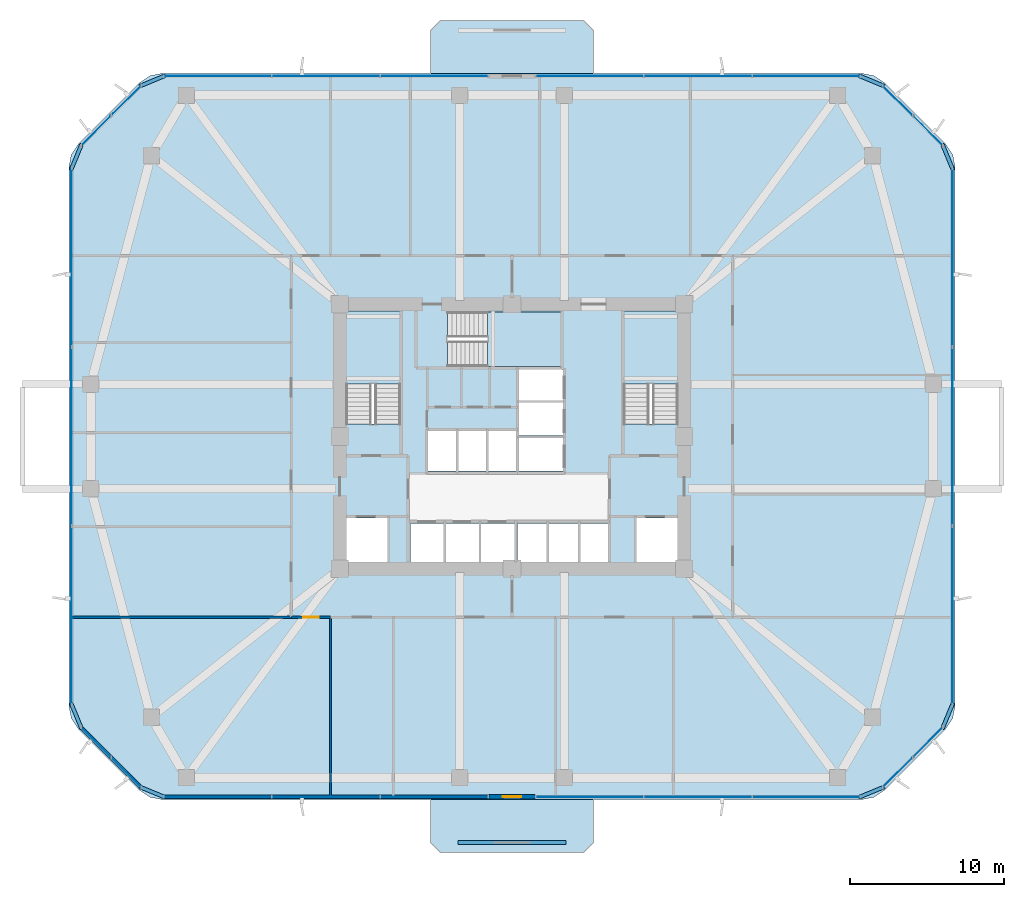
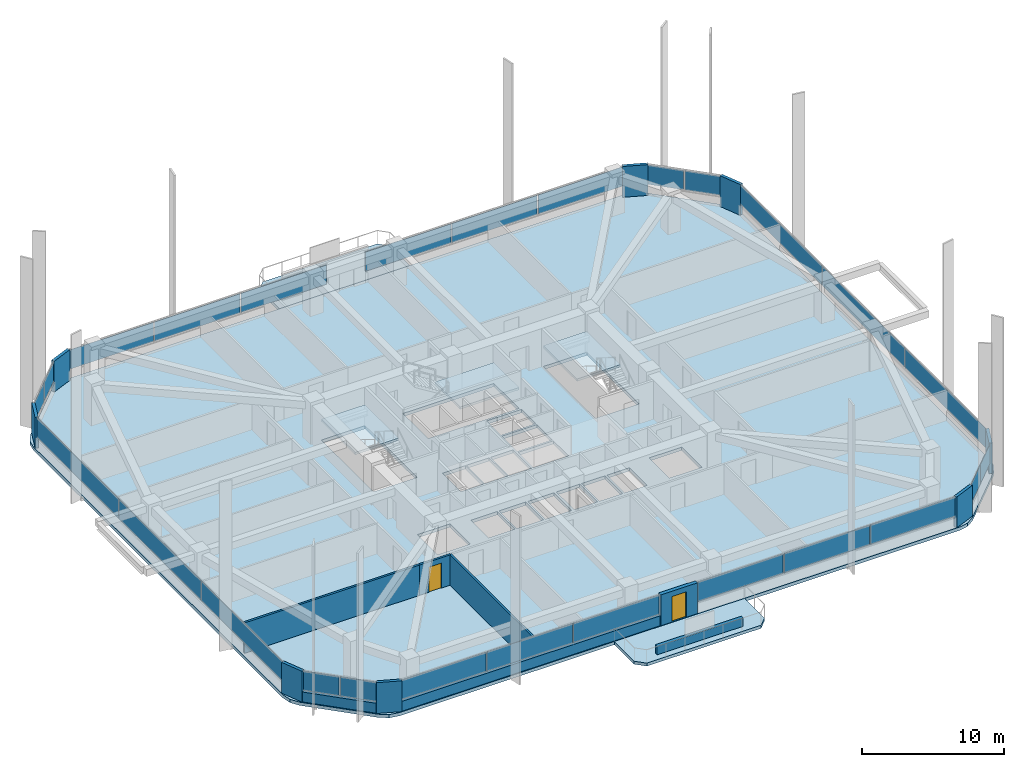
# One storey, part 8 of 17: 34 plates, 7 walls, 6 slabs, 2 doors, 2 openings, 13 elements without a shape of their own.
"""IFC4 building model written with IfcOpenShell, lengths in metres."""

from ifc_helpers import new_model, si_unit, derived_unit, direction, frame, frame_2d, origin, origin_2d, place, context, subcontext, project, spatial, polyline, rectangle, outline, extrude, material, layer, layer_set, type_object, element, fill, aggregate, save


model = new_model("IFC4")

# Units and contexts
model_context = context("Model", 3, precision=1e-05, world=origin(), true_north=direction((0.0, 1.0)))
body_context = subcontext(model_context, "Body", "Model", "MODEL_VIEW")
ifc_project = project(units=[si_unit("LENGTHUNIT", "METRE"), si_unit("AREAUNIT", "SQUARE_METRE"), si_unit("VOLUMEUNIT", "CUBIC_METRE"), si_unit("PLANEANGLEUNIT", "RADIAN"), si_unit("MASSUNIT", "GRAM", prefix="KILO"), derived_unit("THERMALTRANSMITTANCEUNIT", [(si_unit("POWERUNIT", "WATT"), 1), (si_unit("LENGTHUNIT", "METRE"), -2), (si_unit("THERMODYNAMICTEMPERATUREUNIT", "KELVIN"), -1)])], contexts=[model_context])

# Site, building, storey
site_placement = place(None, origin())
site = spatial("IfcSite", under=ifc_project, at=site_placement, CompositionType="ELEMENT")
building_placement = place(site_placement, origin())
building = spatial("IfcBuilding", under=site, at=building_placement, Name="Koralith Skygarden Medical Center", CompositionType="ELEMENT")
storey_placement = place(building_placement, frame((0.0, 0.0, 52.739990234375)))
storey = spatial("IfcBuildingStorey", under=building, at=storey_placement, Name="L13", CompositionType="ELEMENT", Elevation=52.739990234375)

# Curtain wall, plates
ifc_material_1 = material(Name="Clear Laminated Glass", Category="glass")
curtain_wall_type = type_object("IfcCurtainWallType", Name="CW-2 Zone 1 Hurricane Unitised Curtain Wall", PredefinedType="NOTDEFINED", material=ifc_material_1)
curtain_wall_1_placement = place(storey_placement, origin())
curtain_wall_1 = element("IfcCurtainWall", 1, at=curtain_wall_1_placement, inside=storey, type_object=curtain_wall_type, Name="Curtain Wall CW-L13-S-L", PredefinedType="NOTDEFINED")
ifc_layer_1 = layer(ifc_material_1, 0.031982421875)
ifc_layer_set_1 = layer_set([ifc_layer_1], Name="Clear Laminated Glass")
plate_type_1 = type_object("IfcPlateType", Name="CW-2 Hurricane Laminated IGU Panel 32", PredefinedType="CURTAIN_PANEL", material=ifc_layer_set_1)
plate_1_placement = place(storey_placement, frame((17.873046875, 2.47998046875, 0.919921875), z_axis=(0.0, 0.0, 1.0), x_axis=(1.0, 0.0, 0.0)))
plate_1 = element("IfcPlate", 2, at=plate_1_placement, type_object=plate_type_1, Name="CW-L13-S-L Glazed Panel 1", PredefinedType="CURTAIN_PANEL", context=body_context, shape_type="SweptSolid", body=[
    extrude(rectangle(XDim=6.945068359375, YDim=0.031982421875, at=origin_2d()), origin(), (0.0, 0.0, 1.0), 1.659912109375),
])
plate_2_placement = place(storey_placement, frame((24.906982421875, 2.47998046875, 0.919921875), z_axis=(0.0, 0.0, 1.0), x_axis=(1.0, 0.0, 0.0)))
plate_2 = element("IfcPlate", 3, at=plate_2_placement, type_object=plate_type_1, Name="CW-L13-S-L Glazed Panel 2", PredefinedType="CURTAIN_PANEL", context=body_context, shape_type="SweptSolid", body=[
    extrude(rectangle(XDim=6.945068359375, YDim=0.031982421875, at=origin_2d()), origin(), (0.0, 0.0, 1.0), 1.659912109375),
])
plate_3_placement = place(storey_placement, frame((31.94189453125, 2.47998046875, 0.919921875), z_axis=(0.0, 0.0, 1.0), x_axis=(1.0, 0.0, 0.0)))
plate_3 = element("IfcPlate", 4, at=plate_3_placement, type_object=plate_type_1, Name="CW-L13-S-L Glazed Panel 3", PredefinedType="CURTAIN_PANEL", context=body_context, shape_type="SweptSolid", body=[
    extrude(rectangle(XDim=6.945068359375, YDim=0.031982421875, at=origin_2d()), origin(), (0.0, 0.0, 1.0), 1.659912109375),
])
aggregate(curtain_wall_1, [plate_1, plate_2, plate_3])

curtain_wall_2_placement = place(storey_placement, origin())
curtain_wall_2 = element("IfcCurtainWall", 5, at=curtain_wall_2_placement, inside=storey, type_object=curtain_wall_type, Name="Curtain Wall CW-L13-S-R", PredefinedType="NOTDEFINED")
plate_4_placement = place(storey_placement, frame((42.056884765625, 2.47998046875, 0.919921875), z_axis=(0.0, 0.0, 1.0), x_axis=(1.0, 0.0, 0.0)))
plate_4 = element("IfcPlate", 6, at=plate_4_placement, type_object=plate_type_1, Name="CW-L13-S-R Glazed Panel 1", PredefinedType="CURTAIN_PANEL", context=body_context, shape_type="SweptSolid", body=[
    extrude(rectangle(XDim=6.945068359375, YDim=0.031982421875, at=origin_2d()), origin(), (0.0, 0.0, 1.0), 1.659912109375),
])
plate_5_placement = place(storey_placement, frame((49.093017578125, 2.47998046875, 0.919921875), z_axis=(0.0, 0.0, 1.0), x_axis=(1.0, 0.0, 0.0)))
plate_5 = element("IfcPlate", 7, at=plate_5_placement, type_object=plate_type_1, Name="CW-L13-S-R Glazed Panel 2", PredefinedType="CURTAIN_PANEL", context=body_context, shape_type="SweptSolid", body=[
    extrude(rectangle(XDim=6.945068359375, YDim=0.031982421875, at=origin_2d()), origin(), (0.0, 0.0, 1.0), 1.659912109375),
])
plate_6_placement = place(storey_placement, frame((56.126953125, 2.47998046875, 0.919921875), z_axis=(0.0, 0.0, 1.0), x_axis=(1.0, 0.0, 0.0)))
plate_6 = element("IfcPlate", 8, at=plate_6_placement, type_object=plate_type_1, Name="CW-L13-S-R Glazed Panel 3", PredefinedType="CURTAIN_PANEL", context=body_context, shape_type="SweptSolid", body=[
    extrude(rectangle(XDim=6.945068359375, YDim=0.031982421875, at=origin_2d()), origin(), (0.0, 0.0, 1.0), 1.659912109375),
])
aggregate(curtain_wall_2, [plate_4, plate_5, plate_6])

curtain_wall_3_placement = place(storey_placement, origin())
curtain_wall_3 = element("IfcCurtainWall", 9, at=curtain_wall_3_placement, inside=storey, type_object=curtain_wall_type, Name="Curtain Wall CW-L13-SE", PredefinedType="NOTDEFINED")
plate_7_placement = place(storey_placement, frame((62.076904296875, 4.06201171875, 0.919921875), z_axis=(0.0, 0.0, 1.0), x_axis=(0.707106781187, 0.707106781187, 0.0)))
plate_7 = element("IfcPlate", 10, at=plate_7_placement, type_object=plate_type_1, Name="CW-L13-SE Glazed Panel 1", PredefinedType="CURTAIN_PANEL", context=body_context, shape_type="SweptSolid", body=[
    extrude(rectangle(XDim=2.68408203125, YDim=0.031982421875, at=origin_2d()), origin(), (0.0, 0.0, 1.0), 1.659912109375),
])
plate_8_placement = place(storey_placement, frame((64.0380859375, 6.02294921875, 0.919921875), z_axis=(0.0, 0.0, 1.0), x_axis=(0.707106781187, 0.707106781187, 0.0)))
plate_8 = element("IfcPlate", 11, at=plate_8_placement, type_object=plate_type_1, Name="CW-L13-SE Glazed Panel 2", PredefinedType="CURTAIN_PANEL", context=body_context, shape_type="SweptSolid", body=[
    extrude(rectangle(XDim=2.68408203125, YDim=0.031982421875, at=origin_2d()), origin(), (0.0, 0.0, 1.0), 1.659912109375),
])
aggregate(curtain_wall_3, [plate_7, plate_8])

curtain_wall_4_placement = place(storey_placement, origin())
curtain_wall_4 = element("IfcCurtainWall", 12, at=curtain_wall_4_placement, inside=storey, type_object=curtain_wall_type, Name="Curtain Wall CW-L13-E", PredefinedType="NOTDEFINED")
plate_9_placement = place(storey_placement, frame((65.6201171875, 14.27001953125, 0.919921875), z_axis=(0.0, 0.0, 1.0), x_axis=(0.0, 1.0, 0.0)))
plate_9 = element("IfcPlate", 13, at=plate_9_placement, type_object=plate_type_1, Name="CW-L13-E Glazed Panel 1", PredefinedType="CURTAIN_PANEL", context=body_context, shape_type="SweptSolid", body=[
    extrude(rectangle(XDim=11.5400390625, YDim=0.031982421875, at=origin_2d()), origin(), (0.0, 0.0, 1.0), 1.659912109375),
])
plate_10_placement = place(storey_placement, frame((65.6201171875, 25.89990234375, 0.919921875), z_axis=(0.0, 0.0, 1.0), x_axis=(0.0, 1.0, 0.0)))
plate_10 = element("IfcPlate", 14, at=plate_10_placement, type_object=plate_type_1, Name="CW-L13-E Glazed Panel 2", PredefinedType="CURTAIN_PANEL", context=body_context, shape_type="SweptSolid", body=[
    extrude(rectangle(XDim=11.5400390625, YDim=0.031982421875, at=origin_2d()), origin(), (0.0, 0.0, 1.0), 1.659912109375),
])
plate_11_placement = place(storey_placement, frame((65.6201171875, 37.530029296875, 0.919921875), z_axis=(0.0, 0.0, 1.0), x_axis=(0.0, 1.0, 0.0)))
plate_11 = element("IfcPlate", 15, at=plate_11_placement, type_object=plate_type_1, Name="CW-L13-E Glazed Panel 3", PredefinedType="CURTAIN_PANEL", context=body_context, shape_type="SweptSolid", body=[
    extrude(rectangle(XDim=11.5400390625, YDim=0.031982421875, at=origin_2d()), origin(), (0.0, 0.0, 1.0), 1.659912109375),
])
aggregate(curtain_wall_4, [plate_9, plate_10, plate_11])

curtain_wall_5_placement = place(storey_placement, origin())
curtain_wall_5 = element("IfcCurtainWall", 16, at=curtain_wall_5_placement, inside=storey, type_object=curtain_wall_type, Name="Curtain Wall CW-L13-NE", PredefinedType="NOTDEFINED")
plate_12_placement = place(storey_placement, frame((64.0380859375, 45.777099609375, 0.919921875), z_axis=(0.0, 0.0, 1.0), x_axis=(-0.707106781187, 0.707106781187, 0.0)))
plate_12 = element("IfcPlate", 17, at=plate_12_placement, type_object=plate_type_1, Name="CW-L13-NE Glazed Panel 1", PredefinedType="CURTAIN_PANEL", context=body_context, shape_type="SweptSolid", body=[
    extrude(rectangle(XDim=2.68408203125, YDim=0.031982421875, at=origin_2d()), origin(), (0.0, 0.0, 1.0), 1.659912109375),
])
plate_13_placement = place(storey_placement, frame((62.076904296875, 47.738037109375, 0.919921875), z_axis=(0.0, 0.0, 1.0), x_axis=(-0.707106781187, 0.707106781187, 0.0)))
plate_13 = element("IfcPlate", 18, at=plate_13_placement, type_object=plate_type_1, Name="CW-L13-NE Glazed Panel 2", PredefinedType="CURTAIN_PANEL", context=body_context, shape_type="SweptSolid", body=[
    extrude(rectangle(XDim=2.68408203125, YDim=0.031982421875, at=origin_2d()), origin(), (0.0, 0.0, 1.0), 1.659912109375),
])
aggregate(curtain_wall_5, [plate_12, plate_13])

curtain_wall_6_placement = place(storey_placement, origin())
curtain_wall_6 = element("IfcCurtainWall", 19, at=curtain_wall_6_placement, inside=storey, type_object=curtain_wall_type, Name="Curtain Wall CW-L13-N-L", PredefinedType="NOTDEFINED")
plate_14_placement = place(storey_placement, frame((56.1279296875, 49.320068359375, 0.919921875), z_axis=(0.0, 0.0, 1.0), x_axis=(-1.0, 0.0, 0.0)))
plate_14 = element("IfcPlate", 20, at=plate_14_placement, type_object=plate_type_1, Name="CW-L13-N-L Glazed Panel 1", PredefinedType="CURTAIN_PANEL", context=body_context, shape_type="SweptSolid", body=[
    extrude(rectangle(XDim=6.945068359375, YDim=0.031982421875, at=origin_2d()), origin(), (0.0, 0.0, 1.0), 1.659912109375),
])
plate_15_placement = place(storey_placement, frame((49.093017578125, 49.320068359375, 0.919921875), z_axis=(0.0, 0.0, 1.0), x_axis=(-1.0, 0.0, 0.0)))
plate_15 = element("IfcPlate", 21, at=plate_15_placement, type_object=plate_type_1, Name="CW-L13-N-L Glazed Panel 2", PredefinedType="CURTAIN_PANEL", context=body_context, shape_type="SweptSolid", body=[
    extrude(rectangle(XDim=6.945068359375, YDim=0.031982421875, at=origin_2d()), origin(), (0.0, 0.0, 1.0), 1.659912109375),
])
plate_16_placement = place(storey_placement, frame((42.05810546875, 49.320068359375, 0.919921875), z_axis=(0.0, 0.0, 1.0), x_axis=(-1.0, 0.0, 0.0)))
plate_16 = element("IfcPlate", 22, at=plate_16_placement, type_object=plate_type_1, Name="CW-L13-N-L Glazed Panel 3", PredefinedType="CURTAIN_PANEL", context=body_context, shape_type="SweptSolid", body=[
    extrude(rectangle(XDim=6.945068359375, YDim=0.031982421875, at=origin_2d()), origin(), (0.0, 0.0, 1.0), 1.659912109375),
])
aggregate(curtain_wall_6, [plate_14, plate_15, plate_16])

curtain_wall_7_placement = place(storey_placement, origin())
curtain_wall_7 = element("IfcCurtainWall", 23, at=curtain_wall_7_placement, inside=storey, type_object=curtain_wall_type, Name="Curtain Wall CW-L13-N-R", PredefinedType="NOTDEFINED")
plate_17_placement = place(storey_placement, frame((31.943115234375, 49.320068359375, 0.919921875), z_axis=(0.0, 0.0, 1.0), x_axis=(-1.0, 0.0, 0.0)))
plate_17 = element("IfcPlate", 24, at=plate_17_placement, type_object=plate_type_1, Name="CW-L13-N-R Glazed Panel 1", PredefinedType="CURTAIN_PANEL", context=body_context, shape_type="SweptSolid", body=[
    extrude(rectangle(XDim=6.945068359375, YDim=0.031982421875, at=origin_2d()), origin(), (0.0, 0.0, 1.0), 1.659912109375),
])
plate_18_placement = place(storey_placement, frame((24.906982421875, 49.320068359375, 0.919921875), z_axis=(0.0, 0.0, 1.0), x_axis=(-1.0, 0.0, 0.0)))
plate_18 = element("IfcPlate", 25, at=plate_18_placement, type_object=plate_type_1, Name="CW-L13-N-R Glazed Panel 2", PredefinedType="CURTAIN_PANEL", context=body_context, shape_type="SweptSolid", body=[
    extrude(rectangle(XDim=6.945068359375, YDim=0.031982421875, at=origin_2d()), origin(), (0.0, 0.0, 1.0), 1.659912109375),
])
plate_19_placement = place(storey_placement, frame((17.873046875, 49.320068359375, 0.919921875), z_axis=(0.0, 0.0, 1.0), x_axis=(-1.0, 0.0, 0.0)))
plate_19 = element("IfcPlate", 26, at=plate_19_placement, type_object=plate_type_1, Name="CW-L13-N-R Glazed Panel 3", PredefinedType="CURTAIN_PANEL", context=body_context, shape_type="SweptSolid", body=[
    extrude(rectangle(XDim=6.945068359375, YDim=0.031982421875, at=origin_2d()), origin(), (0.0, 0.0, 1.0), 1.659912109375),
])
aggregate(curtain_wall_7, [plate_17, plate_18, plate_19])

curtain_wall_8_placement = place(storey_placement, origin())
curtain_wall_8 = element("IfcCurtainWall", 27, at=curtain_wall_8_placement, inside=storey, type_object=curtain_wall_type, Name="Curtain Wall CW-L13-NW", PredefinedType="NOTDEFINED")
plate_20_placement = place(storey_placement, frame((11.923095703125, 47.738037109375, 0.919921875), z_axis=(0.0, 0.0, 1.0), x_axis=(-0.707106781187, -0.707106781187, 0.0)))
plate_20 = element("IfcPlate", 28, at=plate_20_placement, type_object=plate_type_1, Name="CW-L13-NW Glazed Panel 1", PredefinedType="CURTAIN_PANEL", context=body_context, shape_type="SweptSolid", body=[
    extrude(rectangle(XDim=2.68408203125, YDim=0.031982421875, at=origin_2d()), origin(), (0.0, 0.0, 1.0), 1.659912109375),
])
plate_21_placement = place(storey_placement, frame((9.9619140625, 45.777099609375, 0.919921875), z_axis=(0.0, 0.0, 1.0), x_axis=(-0.707106781187, -0.707106781187, 0.0)))
plate_21 = element("IfcPlate", 29, at=plate_21_placement, type_object=plate_type_1, Name="CW-L13-NW Glazed Panel 2", PredefinedType="CURTAIN_PANEL", context=body_context, shape_type="SweptSolid", body=[
    extrude(rectangle(XDim=2.68408203125, YDim=0.031982421875, at=origin_2d()), origin(), (0.0, 0.0, 1.0), 1.659912109375),
])
aggregate(curtain_wall_8, [plate_20, plate_21])

curtain_wall_9_placement = place(storey_placement, origin())
curtain_wall_9 = element("IfcCurtainWall", 30, at=curtain_wall_9_placement, inside=storey, type_object=curtain_wall_type, Name="Curtain Wall CW-L13-W", PredefinedType="NOTDEFINED")
plate_22_placement = place(storey_placement, frame((8.3798828125, 37.530029296875, 0.919921875), z_axis=(0.0, 0.0, 1.0), x_axis=(0.0, -1.0, 0.0)))
plate_22 = element("IfcPlate", 31, at=plate_22_placement, type_object=plate_type_1, Name="CW-L13-W Glazed Panel 1", PredefinedType="CURTAIN_PANEL", context=body_context, shape_type="SweptSolid", body=[
    extrude(rectangle(XDim=11.5400390625, YDim=0.031982421875, at=origin_2d()), origin(), (0.0, 0.0, 1.0), 1.659912109375),
])
plate_23_placement = place(storey_placement, frame((8.3798828125, 25.89990234375, 0.919921875), z_axis=(0.0, 0.0, 1.0), x_axis=(0.0, -1.0, 0.0)))
plate_23 = element("IfcPlate", 32, at=plate_23_placement, type_object=plate_type_1, Name="CW-L13-W Glazed Panel 2", PredefinedType="CURTAIN_PANEL", context=body_context, shape_type="SweptSolid", body=[
    extrude(rectangle(XDim=11.5400390625, YDim=0.031982421875, at=origin_2d()), origin(), (0.0, 0.0, 1.0), 1.659912109375),
])
plate_24_placement = place(storey_placement, frame((8.3798828125, 14.27001953125, 0.919921875), z_axis=(0.0, 0.0, 1.0), x_axis=(0.0, -1.0, 0.0)))
plate_24 = element("IfcPlate", 33, at=plate_24_placement, type_object=plate_type_1, Name="CW-L13-W Glazed Panel 3", PredefinedType="CURTAIN_PANEL", context=body_context, shape_type="SweptSolid", body=[
    extrude(rectangle(XDim=11.5400390625, YDim=0.031982421875, at=origin_2d()), origin(), (0.0, 0.0, 1.0), 1.659912109375),
])
aggregate(curtain_wall_9, [plate_22, plate_23, plate_24])

curtain_wall_10_placement = place(storey_placement, origin())
curtain_wall_10 = element("IfcCurtainWall", 34, at=curtain_wall_10_placement, inside=storey, type_object=curtain_wall_type, Name="Curtain Wall CW-L13-SW", PredefinedType="NOTDEFINED")
plate_25_placement = place(storey_placement, frame((9.9619140625, 6.02294921875, 0.919921875), z_axis=(0.0, 0.0, 1.0), x_axis=(0.707106781187, -0.707106781187, 0.0)))
plate_25 = element("IfcPlate", 35, at=plate_25_placement, type_object=plate_type_1, Name="CW-L13-SW Glazed Panel 1", PredefinedType="CURTAIN_PANEL", context=body_context, shape_type="SweptSolid", body=[
    extrude(rectangle(XDim=2.68408203125, YDim=0.031982421875, at=origin_2d()), origin(), (0.0, 0.0, 1.0), 1.659912109375),
])
plate_26_placement = place(storey_placement, frame((11.923095703125, 4.06201171875, 0.919921875), z_axis=(0.0, 0.0, 1.0), x_axis=(0.707106781187, -0.707106781187, 0.0)))
plate_26 = element("IfcPlate", 36, at=plate_26_placement, type_object=plate_type_1, Name="CW-L13-SW Glazed Panel 2", PredefinedType="CURTAIN_PANEL", context=body_context, shape_type="SweptSolid", body=[
    extrude(rectangle(XDim=2.68408203125, YDim=0.031982421875, at=origin_2d()), origin(), (0.0, 0.0, 1.0), 1.659912109375),
])
aggregate(curtain_wall_10, [plate_25, plate_26])

# Slabs
ifc_material_2 = material(Name="Concrete C45/55", Category="concrete")
ifc_layer_2 = layer(ifc_material_2, 0.260009765625)
ifc_layer_set_2 = layer_set([ifc_layer_2], Name="Concrete C45/55")
slab_type_1 = type_object("IfcSlabType", Name="Cantilevered Planted Balcony Slab 260", PredefinedType="FLOOR", material=ifc_layer_set_2)
slab_1_placement = place(storey_placement, frame((0.0, 0.0, -0.260009765625)))
element("IfcSlab", 37, at=slab_1_placement, inside=storey, type_object=slab_type_1, Name="L13 N Planted Sky-Garden Balcony Slab", PredefinedType="FLOOR", context=body_context, shape_type="SweptSolid", body=[
    extrude(outline(polyline([(31.699951171875, 49.5), (42.300048828125, 49.5), (42.300048828125, 52.300048828125), (41.64990234375, 52.949951171875), (32.35009765625, 52.949951171875), (31.699951171875, 52.300048828125), (31.699951171875, 49.5)])), origin(), (0.0, 0.0, 1.0), 0.260009765625),
])
slab_2_placement = place(storey_placement, frame((0.0, 0.0, -0.260009765625)))
element("IfcSlab", 38, at=slab_2_placement, inside=storey, type_object=slab_type_1, Name="L13 S Planted Sky-Garden Balcony Slab", PredefinedType="FLOOR", context=body_context, shape_type="SweptSolid", body=[
    extrude(outline(polyline([(32.35009765625, -1.14990234375), (41.64990234375, -1.14990234375), (42.300048828125, -0.5), (42.300048828125, 2.300048828125), (31.699951171875, 2.300048828125), (31.699951171875, -0.5), (32.35009765625, -1.14990234375)])), origin(), (0.0, 0.0, 1.0), 0.260009765625),
])

# Stair, slab
stair_type = type_object("IfcStairType", Name="Core Exit Dogleg Concrete Stair", PredefinedType="HALF_TURN_STAIR", material=ifc_material_2)
stair_1_placement = place(storey_placement, origin())
stair_1 = element("IfcStair", 39, at=stair_1_placement, inside=storey, type_object=stair_type, Name="L13 Smokeproof Exit Stair ST1", PredefinedType="HALF_TURN_STAIR")
ifc_layer_3 = layer(ifc_material_2, 0.199951171875)
ifc_layer_set_3 = layer_set([ifc_layer_3], Name="Concrete C45/55")
slab_type_2 = type_object("IfcSlabType", Name="Core Exit Concrete Stair Landing 200", PredefinedType="LANDING", material=ifc_layer_set_3)
slab_3_placement = place(storey_placement, frame((0.0, 0.0, 1.60009765625)))
slab_3 = element("IfcSlab", 40, at=slab_3_placement, type_object=slab_type_2, Name="ST1 landing 1", PredefinedType="LANDING", context=body_context, shape_type="SweptSolid", body=[
    extrude(outline(polyline([(29.75, 29.31005859375), (29.75, 34.050048828125), (26.199951171875, 34.050048828125), (26.199951171875, 29.31005859375), (29.75, 29.31005859375)])), origin(), (0.0, 0.0, 1.0), 0.199951171875),
])
aggregate(stair_1, [slab_3])

stair_2_placement = place(storey_placement, origin())
stair_2 = element("IfcStair", 41, at=stair_2_placement, inside=storey, type_object=stair_type, Name="L13 Smokeproof Exit Stair ST2", PredefinedType="HALF_TURN_STAIR")
slab_4_placement = place(storey_placement, frame((0.0, 0.0, 1.60009765625)))
slab_4 = element("IfcSlab", 42, at=slab_4_placement, type_object=slab_type_2, Name="ST2 landing 1", PredefinedType="LANDING", context=body_context, shape_type="SweptSolid", body=[
    extrude(outline(polyline([(47.800048828125, 29.31005859375), (47.800048828125, 34.050048828125), (44.25, 34.050048828125), (44.25, 29.31005859375), (47.800048828125, 29.31005859375)])), origin(), (0.0, 0.0, 1.0), 0.199951171875),
])
aggregate(stair_2, [slab_4])

stair_3_placement = place(storey_placement, origin())
stair_3 = element("IfcStair", 43, at=stair_3_placement, inside=storey, type_object=stair_type, Name="L13 Smokeproof Exit Stair ST3", PredefinedType="HALF_TURN_STAIR")
slab_5_placement = place(storey_placement, frame((0.0, 0.0, 1.60009765625)))
slab_5 = element("IfcSlab", 44, at=slab_5_placement, type_object=slab_type_2, Name="ST3 landing 1", PredefinedType="LANDING", context=body_context, shape_type="SweptSolid", body=[
    extrude(outline(polyline([(35.409912109375, 30.449951171875), (40.199951171875, 30.449951171875), (40.199951171875, 34.0), (35.409912109375, 34.0), (35.409912109375, 30.449951171875)])), origin(), (0.0, 0.0, 1.0), 0.199951171875),
])
aggregate(stair_3, [slab_5])

# Slab
ifc_layer_4 = layer(ifc_material_2, 0.280029296875)
ifc_layer_set_4 = layer_set([ifc_layer_4], Name="Concrete C45/55")
slab_type_3 = type_object("IfcSlabType", Name="Post-Tensioned Ward Floor Plate 280", PredefinedType="FLOOR", material=ifc_layer_set_4)
slab_6_placement = place(storey_placement, frame((0.0, 0.0, -0.280029296875)))
element("IfcSlab", 45, at=slab_6_placement, inside=storey, type_object=slab_type_3, Name="Level L13 Structural Floor Slab", PredefinedType="FLOOR", context=body_context, shape_type="SweptSolid", body=[
    extrude(outline(polyline([(12.81396484375, 2.885986328125), (13.462890625, 2.451904296875), (14.22802734375, 2.300048828125), (59.77197265625, 2.300048828125), (60.537109375, 2.451904296875), (61.18603515625, 2.885986328125), (65.214111328125, 6.9140625), (65.64794921875, 7.56298828125), (65.800048828125, 8.327880859375), (65.800048828125, 43.471923828125), (65.64794921875, 44.237060546875), (65.214111328125, 44.885986328125), (61.18603515625, 48.9140625), (60.537109375, 49.347900390625), (59.77197265625, 49.5), (14.22802734375, 49.5), (13.462890625, 49.347900390625), (12.81396484375, 48.9140625), (8.785888671875, 44.885986328125), (8.35205078125, 44.237060546875), (8.199951171875, 43.471923828125), (8.199951171875, 8.327880859375), (8.35205078125, 7.56298828125), (8.785888671875, 6.9140625), (12.81396484375, 2.885986328125)]), holes=[polyline([(26.199951171875, 26.705078125), (29.75, 26.705078125), (29.75, 34.050048828125), (26.199951171875, 34.050048828125), (26.199951171875, 26.705078125)]), polyline([(44.25, 26.705078125), (47.800048828125, 26.705078125), (47.800048828125, 34.050048828125), (44.25, 34.050048828125), (44.25, 26.705078125)]), polyline([(32.804931640625, 30.449951171875), (40.199951171875, 30.449951171875), (40.199951171875, 34.0), (32.804931640625, 34.0), (32.804931640625, 30.449951171875)]), polyline([(26.25, 17.75), (28.89990234375, 17.75), (28.89990234375, 20.60009765625), (26.25, 20.60009765625), (26.25, 17.75)]), polyline([(45.10009765625, 17.75), (47.75, 17.75), (47.75, 20.60009765625), (45.10009765625, 20.60009765625), (45.10009765625, 17.75)]), polyline([(30.39990234375, 17.75), (32.550048828125, 17.75), (32.550048828125, 20.25), (30.39990234375, 20.25), (30.39990234375, 17.75)]), polyline([(32.699951171875, 17.75), (34.85009765625, 17.75), (34.85009765625, 20.25), (32.699951171875, 20.25), (32.699951171875, 17.75)]), polyline([(35.0, 17.75), (37.14990234375, 17.75), (37.14990234375, 20.25), (35.0, 20.25), (35.0, 17.75)]), polyline([(37.35009765625, 17.75), (39.25, 17.75), (39.25, 20.25), (37.35009765625, 20.25), (37.35009765625, 17.75)]), polyline([(39.39990234375, 17.75), (41.300048828125, 17.75), (41.300048828125, 20.25), (39.39990234375, 20.25), (39.39990234375, 17.75)]), polyline([(41.449951171875, 17.75), (43.300048828125, 17.75), (43.300048828125, 20.25), (41.449951171875, 20.25), (41.449951171875, 17.75)]), polyline([(31.550048828125, 23.64990234375), (33.39990234375, 23.64990234375), (33.39990234375, 26.25), (31.550048828125, 26.25), (31.550048828125, 23.64990234375)]), polyline([(33.5, 23.64990234375), (35.35009765625, 23.64990234375), (35.35009765625, 26.25), (33.5, 26.25), (33.5, 23.64990234375)]), polyline([(35.449951171875, 23.64990234375), (37.300048828125, 23.64990234375), (37.300048828125, 26.25), (35.449951171875, 26.25), (35.449951171875, 23.64990234375)]), polyline([(37.449951171875, 23.64990234375), (40.300048828125, 23.64990234375), (40.300048828125, 25.800048828125), (37.449951171875, 25.800048828125), (37.449951171875, 23.64990234375)]), polyline([(37.449951171875, 25.949951171875), (40.300048828125, 25.949951171875), (40.300048828125, 28.10009765625), (37.449951171875, 28.10009765625), (37.449951171875, 25.949951171875)]), polyline([(37.449951171875, 28.25), (40.300048828125, 28.25), (40.300048828125, 30.25), (37.449951171875, 30.25), (37.449951171875, 28.25)])]), origin(), (0.0, 0.0, 1.0), 0.280029296875),
])

# Plates
ifc_material_3 = material(Name="Warm Oolitic Limestone Cladding", Category="masonry")
ifc_layer_5 = layer(ifc_material_3, 0.239990234375)
ifc_layer_set_5 = layer_set([ifc_layer_5], Name="Warm Oolitic Limestone Cladding")
plate_type_2 = type_object("IfcPlateType", Name="Rounded-Corner Oolitic Limestone Cladding Panel 240", PredefinedType="USERDEFINED", material=ifc_layer_set_5)
for number, where, z_axis, x_axis, name in (
    (46, (60.3701171875, 2.780029296875, 0.0), (0.0, 0.0, 1.0), (0.92388487569, 0.382670532536, 0.0), "L13 Rounded-Corner Limestone Pier 1"),
    (47, (65.320068359375, 7.72900390625, 0.0), (0.0, 0.0, 1.0), (0.382670532536, 0.92388487569, 0.0), "L13 Rounded-Corner Limestone Pier 2"),
    (48, (65.320068359375, 44.070068359375, 0.0), (0.0, 0.0, 1.0), (-0.382670532536, 0.92388487569, 0.0), "L13 Rounded-Corner Limestone Pier 3"),
    (49, (60.3701171875, 49.02001953125, 0.0), (0.0, 0.0, 1.0), (-0.92388487569, 0.382670532536, 0.0), "L13 Rounded-Corner Limestone Pier 4"),
    (50, (13.6298828125, 49.02001953125, 0.0), (0.0, 0.0, 1.0), (-0.92388487569, -0.382670532536, 0.0), "L13 Rounded-Corner Limestone Pier 5"),
    (51, (8.680908203125, 44.070068359375, 0.0), (0.0, 0.0, 1.0), (-0.382670532536, -0.92388487569, 0.0), "L13 Rounded-Corner Limestone Pier 6"),
    (52, (8.680908203125, 7.72900390625, 0.0), (0.0, 0.0, 1.0), (0.382670532536, -0.92388487569, 0.0), "L13 Rounded-Corner Limestone Pier 7"),
    (53, (13.6298828125, 2.780029296875, 0.0), (0.0, 0.0, 1.0), (0.92388487569, -0.382670532536, 0.0), "L13 Rounded-Corner Limestone Pier 8"),
):
    element("IfcPlate", number, at=place(storey_placement, frame(where, z_axis=z_axis, x_axis=x_axis)), inside=storey, type_object=plate_type_2, Name=name, ObjectType="LIMESTONE CLADDING", PredefinedType="USERDEFINED", context=body_context, shape_type="SweptSolid", body=[
        extrude(rectangle(XDim=1.81103515625, YDim=0.239990234375, at=origin_2d()), origin(), (0.0, 0.0, 1.0), 2.64990234375),
    ])

# Walls
ifc_material_4 = material(Name="Gypsum Board Partition")
ifc_layer_6 = layer(ifc_material_4, 0.14990234375)
ifc_layer_set_6 = layer_set([ifc_layer_6], Name="Gypsum Board Partition")
wall_type_1 = type_object("IfcWallType", Name="Clinical Acoustic Partition 150", PredefinedType="PARTITIONING", material=ifc_layer_set_6)
wall_1_placement = place(storey_placement, frame((25.199951171875, 14.14990234375, 0.0), z_axis=(0.0, 0.0, 1.0), x_axis=(0.0, -1.0, 0.0)))
element("IfcWall", 54, at=wall_1_placement, inside=storey, type_object=wall_type_1, Name="L13 Clinical Acoustic Partition 150 W-PART-L13-S-01", PredefinedType="PARTITIONING", context=body_context, shape_type="SweptSolid", body=[
    extrude(rectangle(XDim=11.64990234375, YDim=0.14990234375, at=frame_2d((5.824951171875, 0.0))), origin(), (0.0, 0.0, 1.0), 2.610107421875),
])
ifc_layer_7 = layer(ifc_material_4, 0.1650390625)
ifc_layer_set_7 = layer_set([ifc_layer_7], Name="Gypsum Board Partition")
wall_type_2 = type_object("IfcWallType", Name="Clinical Corridor Partition 165", PredefinedType="PARTITIONING", material=ifc_layer_set_7)
wall_2_placement = place(storey_placement, frame((8.39990234375, 14.14990234375, 0.0), z_axis=(0.0, 0.0, 1.0), x_axis=(1.0, 0.0, 0.0)))
element("IfcWall", 55, at=wall_2_placement, inside=storey, type_object=wall_type_2, Name="L13 Clinical Corridor Partition 165 W-WB-L13-SW", PredefinedType="PARTITIONING", context=body_context, shape_type="SweptSolid", body=[
    extrude(rectangle(XDim=14.25, YDim=0.1650390625, at=frame_2d((7.125, 0.0))), origin(), (0.0, 0.0, 1.0), 2.610107421875),
])

# Wall, opening, door
wall_3_placement = place(storey_placement, frame((22.64990234375, 14.14990234375, 0.0), z_axis=(0.0, 0.0, 1.0), x_axis=(1.0, 0.0, 0.0)))
wall_3 = element("IfcWall", 56, at=wall_3_placement, inside=storey, type_object=wall_type_2, Name="L13 Clinical Corridor Partition 165 W-CORR-L13-S-01", PredefinedType="PARTITIONING", context=body_context, shape_type="SweptSolid", body=[
    extrude(rectangle(XDim=2.550048828125, YDim=0.1650390625, at=frame_2d((1.27490234375, 0.0))), origin(), (0.0, 0.0, 1.0), 2.610107421875),
])
opening_1_placement = place(wall_3_placement, frame((0.77490234375, 0.0, 0.0)))
opening_1 = element("IfcOpeningElement", 57, at=opening_1_placement, cuts=wall_3, Name="Opening D-SUP", PredefinedType="OPENING", context=body_context, shape_type="SweptSolid", body=[
    extrude(rectangle(XDim=1.0, YDim=2.14990234375, at=frame_2d((0.5, 1.074951171875))), frame((0.0, 0.092529296875, 0.0), z_axis=(0.0, -1.0, 0.0), x_axis=(1.0, 0.0, 0.0)), (0.0, 0.0, 1.0), 0.18505859375),
])
ifc_material_5 = material(Name="Aluminium 6063-T6", Category="aluminium")
door_type_1 = type_object("IfcDoorType", Name="Clinical Support Door D-SUP 1000", OperationType="NOTDEFINED", PredefinedType="DOOR", material=ifc_material_5)
door_1_placement = place(opening_1_placement, frame((1.0, 0.0, 0.0), z_axis=(0.0, 0.0, 1.0), x_axis=(-1.0, 0.0, 0.0)))
door_1 = element("IfcDoor", 58, at=door_1_placement, inside=storey, type_object=door_type_1, Name="L13 Clinical Simulation Classroom 06 Door", OperationType="SINGLE_SWING_LEFT", OverallHeight=2.14990234375, OverallWidth=1.0, PredefinedType="DOOR", context=body_context, shape_type="SweptSolid", body=[
    extrude(rectangle(XDim=1.0, YDim=2.14990234375, at=frame_2d((0.5, 1.074951171875))), frame((0.0, 0.02490234375, 0.0), z_axis=(0.0, -1.0, 0.0), x_axis=(1.0, 0.0, 0.0)), (0.0, 0.0, 1.0), 0.050048828125),
])
fill(opening_1, door_1)

# Walls
ifc_layer_8 = layer(ifc_material_3, 0.239990234375)
ifc_layer_set_8 = layer_set([ifc_layer_8], Name="Warm Oolitic Limestone Cladding")
wall_type_3 = type_object("IfcWallType", Name="Limestone Spandrel Sill Backup Wall 240", PredefinedType="SOLIDWALL", material=ifc_layer_set_8)
wall_4_placement = place(storey_placement, frame((14.35498046875, 2.47998046875, 0.0), z_axis=(0.0, 0.0, 1.0), x_axis=(1.0, 0.0, 0.0)))
element("IfcWall", 59, at=wall_4_placement, inside=storey, type_object=wall_type_3, Name="L13 Sill Spandrel S-L", PredefinedType="SOLIDWALL", context=body_context, shape_type="SweptSolid", body=[
    extrude(rectangle(XDim=21.10498046875, YDim=0.239990234375, at=frame_2d((10.552490234375, 0.0))), origin(), (0.0, 0.0, 1.0), 0.85009765625),
])
wall_5_placement = place(storey_placement, frame((8.98095703125, 7.00390625, 0.0), z_axis=(0.0, 0.0, 1.0), x_axis=(0.707128783731, -0.707084777957, 0.0)))
element("IfcWall", 60, at=wall_5_placement, inside=storey, type_object=wall_type_3, Name="L13 Sill Spandrel SW", PredefinedType="SOLIDWALL", context=body_context, shape_type="SweptSolid", body=[
    extrude(rectangle(XDim=5.5478515625, YDim=0.239990234375, at=frame_2d((2.77392578125, 0.0))), origin(), (0.0, 0.0, 1.0), 0.85009765625),
])

# Wall, opening, door
ifc_layer_9 = layer(ifc_material_3, 0.300048828125)
ifc_layer_set_9 = layer_set([ifc_layer_9], Name="Warm Oolitic Limestone Cladding")
wall_type_4 = type_object("IfcWallType", Name="Oolitic Limestone Insulated Facade Wall 300", PredefinedType="SOLIDWALL", material=ifc_layer_set_9)
wall_6_placement = place(storey_placement, frame((35.5, 2.47998046875, 0.0), z_axis=(0.0, 0.0, 1.0), x_axis=(1.0, 0.0, 0.0)))
wall_6 = element("IfcWall", 61, at=wall_6_placement, inside=storey, type_object=wall_type_4, Name="L13 Terrace Portal Wall S", PredefinedType="SOLIDWALL", context=body_context, shape_type="SweptSolid", body=[
    extrude(rectangle(XDim=3.0, YDim=0.300048828125, at=frame_2d((1.5, 0.0))), origin(), (0.0, 0.0, 1.0), 2.64990234375),
])
opening_2_placement = place(wall_6_placement, frame((0.89990234375, 0.0, 0.0)))
opening_2 = element("IfcOpeningElement", 62, at=opening_2_placement, cuts=wall_6, Name="Opening D-BAL", PredefinedType="OPENING", context=body_context, shape_type="SweptSolid", body=[
    extrude(rectangle(XDim=1.199951171875, YDim=2.199951171875, at=frame_2d((0.60009765625, 1.10009765625))), frame((0.0, 0.159912109375, 0.0), z_axis=(0.0, -1.0, 0.0), x_axis=(1.0, 0.0, 0.0)), (0.0, 0.0, 1.0), 0.320068359375),
])
door_type_2 = type_object("IfcDoorType", Name="Planted Balcony Glazed Terrace Door D-BAL 1200", OperationType="NOTDEFINED", PredefinedType="DOOR", material=ifc_material_5)
door_2_placement = place(opening_2_placement, origin())
door_2 = element("IfcDoor", 63, at=door_2_placement, inside=storey, type_object=door_type_2, Name="L13 S Outdoor Terrace Access Door", OperationType="SINGLE_SWING_RIGHT", OverallHeight=2.199951171875, OverallWidth=1.199951171875, PredefinedType="DOOR", context=body_context, shape_type="SweptSolid", body=[
    extrude(rectangle(XDim=1.199951171875, YDim=2.199951171875, at=frame_2d((0.60009765625, 1.10009765625))), frame((0.0, 0.02490234375, 0.0), z_axis=(0.0, -1.0, 0.0), x_axis=(1.0, 0.0, 0.0)), (0.0, 0.0, 1.0), 0.050048828125),
])
fill(opening_2, door_2)

# Wall
ifc_material_6 = material(Name="Precast concrete C40/50", Category="concrete")
ifc_layer_10 = layer(ifc_material_6, 0.25)
ifc_layer_set_10 = layer_set([ifc_layer_10], Name="Precast concrete C40/50")
wall_type_5 = type_object("IfcWallType", Name="Structural Concrete Balcony Planter Kerb 250", PredefinedType="PARAPET", material=ifc_layer_set_10)
wall_7_placement = place(storey_placement, frame((33.5, -0.5, 0.0), z_axis=(0.0, 0.0, 1.0), x_axis=(1.0, 0.0, 0.0)))
element("IfcWall", 64, at=wall_7_placement, inside=storey, type_object=wall_type_5, Name="L13 S Structural Tree PLANTER Box", PredefinedType="PARAPET", context=body_context, shape_type="SweptSolid", body=[
    extrude(rectangle(XDim=7.0, YDim=0.25, at=frame_2d((3.5, 0.0))), origin(), (0.0, 0.0, 1.0), 0.719970703125),
])

save(model, "model.ifc")
